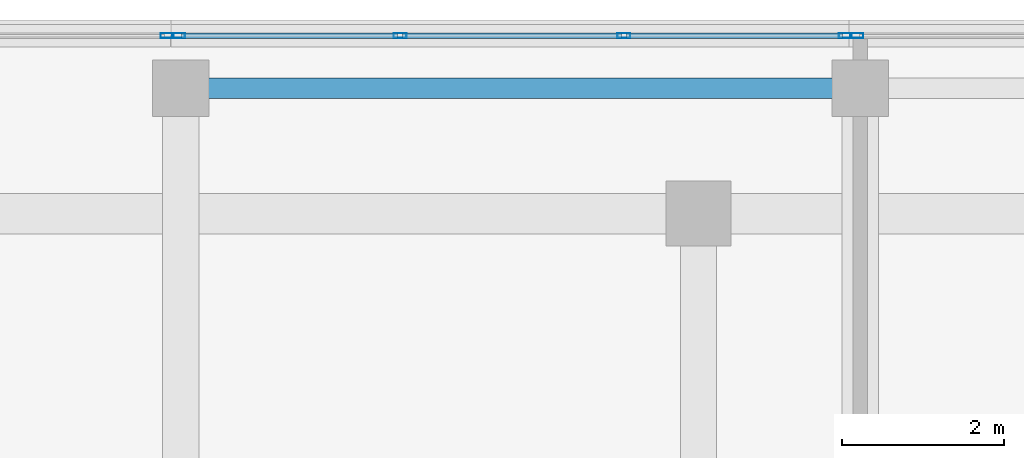
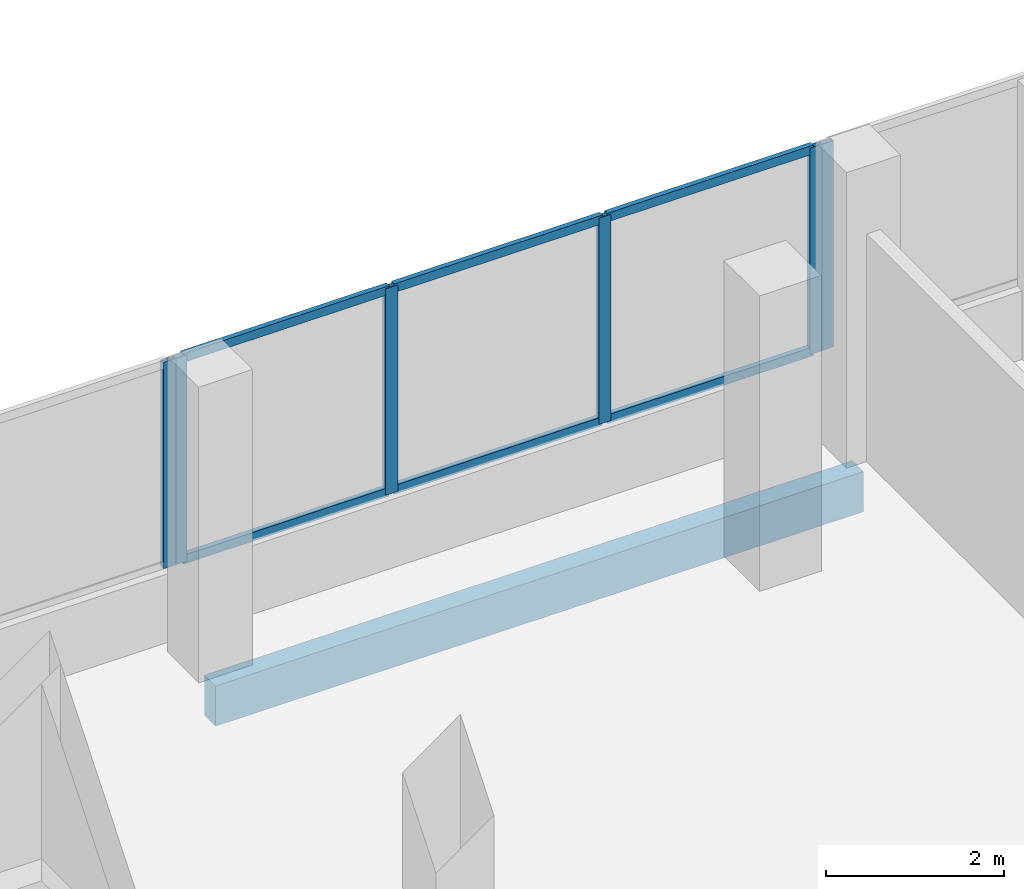
# One storey, part 42 of 101: 12 members, 1 beam, 3 elements without a shape of their own.
"""IFC4 building model written with IfcOpenShell, lengths in metres."""

from ifc_helpers import new_model, si_unit, direction, frame, origin, origin_2d, place, context, subcontext, project, spatial, rectangle, hollow_rectangle, extrude, material, material_profile, profile_set, type_object, element, aggregate, save


model = new_model("IFC4")

# Units and contexts
model_context = context("Model", 3, precision=1e-05, world=origin(), true_north=direction((0.0, 1.0)))
body_context = subcontext(model_context, "Body", "Model", "MODEL_VIEW")
ifc_project = project(units=[si_unit("LENGTHUNIT", "METRE"), si_unit("AREAUNIT", "SQUARE_METRE"), si_unit("VOLUMEUNIT", "CUBIC_METRE"), si_unit("PLANEANGLEUNIT", "RADIAN"), si_unit("MASSUNIT", "GRAM", prefix="KILO")], contexts=[model_context])

# Site, building, storey
site_placement = place(None, origin())
site = spatial("IfcSite", under=ifc_project, at=site_placement, CompositionType="ELEMENT")
building_placement = place(site_placement, origin())
building = spatial("IfcBuilding", under=site, at=building_placement, Name="Selatvlak General Hospital", CompositionType="ELEMENT")
storey_placement = place(building_placement, frame((0.0, 0.0, 19.199951171875)))
storey = spatial("IfcBuildingStorey", under=building, at=storey_placement, Name="L04", CompositionType="ELEMENT", Elevation=19.199951171875)

# Beam
ifc_material_1 = material(Name="Concrete C40/50", Category="concrete")
ifc_material_profile_1 = material_profile(ifc_material_1, rectangle(XDim=0.25, YDim=0.550048828125, at=origin_2d()), Name="RC-SP 250x550")
ifc_profile_set_1 = profile_set([ifc_material_profile_1], Name="Concrete C40/50")
beam_type = type_object("IfcBeamType", Name="BM-SP2", PredefinedType="SPANDREL", material=ifc_profile_set_1)
beam_placement = place(storey_placement, frame((64.800048828125, 119.35009765625, -0.579833984375), z_axis=(1.0, 0.0, 0.0), x_axis=(0.0, 1.0, 0.0)))
element("IfcBeam", 1, at=beam_placement, inside=storey, type_object=beam_type, Name="Beam BMR-L04-1631", PredefinedType="SPANDREL", context=body_context, shape_type="SweptSolid", body=[
    extrude(rectangle(XDim=0.25, YDim=0.550048828125, at=origin_2d()), origin(), (0.0, 0.0, 1.0), 8.39990234375),
])

# Curtain wall, member
ifc_material_2 = material(Name="Solar-control Low-E double glazing", Category="glass")
curtain_wall_type_1 = type_object("IfcCurtainWallType", Name="CW-CW-01", PredefinedType="USERDEFINED", material=ifc_material_2)
curtain_wall_1_placement = place(storey_placement, origin())
curtain_wall_1 = element("IfcCurtainWall", 2, at=curtain_wall_1_placement, inside=storey, type_object=curtain_wall_type_1, Name="Glazed facade curtain wall CW-L04-0485", ObjectType="UNITISED CURTAIN WALL", PredefinedType="USERDEFINED")
ifc_material_3 = material(Name="Dark anodised aluminium mullion", Category="aluminium")
ifc_material_profile_2 = material_profile(ifc_material_3, hollow_rectangle(XDim=0.06494140625, YDim=0.159912109375, WallThickness=0.00390625, at=origin_2d()), Name="AL-MUL 65x160x4")
ifc_profile_set_2 = profile_set([ifc_material_profile_2], Name="Dark anodised aluminium mullion")
member_type_1 = type_object("IfcMemberType", Name="CWM-01", PredefinedType="MULLION", material=ifc_profile_set_2)
member_1_placement = place(storey_placement, frame((64.632568359375, 119.9990234375, 0.93994140625), z_axis=(0.0, 0.0, 1.0), x_axis=(0.0, 1.0, 0.0)))
member_1 = element("IfcMember", 3, at=member_1_placement, type_object=member_type_1, Name="CW-01 mullion 4", PredefinedType="MULLION", context=body_context, shape_type="SweptSolid", body=[
    extrude(hollow_rectangle(XDim=0.06494140625, YDim=0.159912109375, WallThickness=0.00390625, at=origin_2d()), origin(), (0.0, 0.0, 1.0), 2.830078125),
])
aggregate(curtain_wall_1, [member_1])

# Curtain wall, members
curtain_wall_type_2 = type_object("IfcCurtainWallType", Name="CW-CW-02", PredefinedType="USERDEFINED", material=ifc_material_2)
curtain_wall_2_placement = place(storey_placement, origin())
curtain_wall_2 = element("IfcCurtainWall", 4, at=curtain_wall_2_placement, inside=storey, type_object=curtain_wall_type_2, Name="Glazed facade curtain wall CW-L04-0486", ObjectType="UNITISED CURTAIN WALL", PredefinedType="USERDEFINED")
member_2_placement = place(storey_placement, frame((64.777587890625, 119.9990234375, 0.93994140625), z_axis=(0.0, 0.0, 1.0), x_axis=(0.0, 1.0, 0.0)))
member_2 = element("IfcMember", 5, at=member_2_placement, type_object=member_type_1, Name="CW-02 mullion 1", PredefinedType="MULLION", context=body_context, shape_type="SweptSolid", body=[
    extrude(hollow_rectangle(XDim=0.06494140625, YDim=0.159912109375, WallThickness=0.00390625, at=origin_2d()), origin(), (0.0, 0.0, 1.0), 2.830078125),
])
member_3_placement = place(storey_placement, frame((67.51171875, 119.9990234375, 0.93994140625), z_axis=(0.0, 0.0, 1.0), x_axis=(0.0, 1.0, 0.0)))
member_3 = element("IfcMember", 6, at=member_3_placement, type_object=member_type_1, Name="CW-02 mullion 2", PredefinedType="MULLION", context=body_context, shape_type="SweptSolid", body=[
    extrude(hollow_rectangle(XDim=0.06494140625, YDim=0.159912109375, WallThickness=0.00390625, at=origin_2d()), origin(), (0.0, 0.0, 1.0), 2.830078125),
])
member_4_placement = place(storey_placement, frame((70.2783203125, 119.9990234375, 0.93994140625), z_axis=(0.0, 0.0, 1.0), x_axis=(0.0, 1.0, 0.0)))
member_4 = element("IfcMember", 7, at=member_4_placement, type_object=member_type_1, Name="CW-02 mullion 3", PredefinedType="MULLION", context=body_context, shape_type="SweptSolid", body=[
    extrude(hollow_rectangle(XDim=0.06494140625, YDim=0.159912109375, WallThickness=0.00390625, at=origin_2d()), origin(), (0.0, 0.0, 1.0), 2.830078125),
])
member_5_placement = place(storey_placement, frame((73.012451171875, 119.9990234375, 0.93994140625), z_axis=(0.0, 0.0, 1.0), x_axis=(0.0, 1.0, 0.0)))
member_5 = element("IfcMember", 8, at=member_5_placement, type_object=member_type_1, Name="CW-02 mullion 4", PredefinedType="MULLION", context=body_context, shape_type="SweptSolid", body=[
    extrude(hollow_rectangle(XDim=0.06494140625, YDim=0.159912109375, WallThickness=0.00390625, at=origin_2d()), origin(), (0.0, 0.0, 1.0), 2.830078125),
])

# Curtain wall, member
curtain_wall_3_placement = place(storey_placement, origin())
curtain_wall_3 = element("IfcCurtainWall", 9, at=curtain_wall_3_placement, inside=storey, type_object=curtain_wall_type_1, Name="Glazed facade curtain wall CW-L04-0487", ObjectType="UNITISED CURTAIN WALL", PredefinedType="USERDEFINED")
member_6_placement = place(storey_placement, frame((73.157470703125, 119.9990234375, 0.93994140625), z_axis=(0.0, 0.0, 1.0), x_axis=(0.0, 1.0, 0.0)))
member_6 = element("IfcMember", 10, at=member_6_placement, type_object=member_type_1, Name="CW-01 mullion 1", PredefinedType="MULLION", context=body_context, shape_type="SweptSolid", body=[
    extrude(hollow_rectangle(XDim=0.06494140625, YDim=0.159912109375, WallThickness=0.00390625, at=origin_2d()), origin(), (0.0, 0.0, 1.0), 2.830078125),
])
aggregate(curtain_wall_3, [member_6])

# Member
ifc_material_profile_3 = material_profile(ifc_material_3, hollow_rectangle(XDim=0.06494140625, YDim=0.1201171875, WallThickness=0.00390625, at=origin_2d()), Name="AL-TRN 65x120x4")
ifc_profile_set_3 = profile_set([ifc_material_profile_3], Name="Dark anodised aluminium mullion")
member_type_2 = type_object("IfcMemberType", Name="CWT-01", PredefinedType="USERDEFINED", material=ifc_profile_set_3)
member_7_placement = place(storey_placement, frame((64.81005859375, 119.9990234375, 0.97265625), z_axis=(1.0, 0.0, 0.0), x_axis=(0.0, 1.0, 0.0)))
member_7 = element("IfcMember", 11, at=member_7_placement, type_object=member_type_2, Name="CW-02 transom 1.1", ObjectType="TRANSOM", PredefinedType="USERDEFINED", context=body_context, shape_type="SweptSolid", body=[
    extrude(hollow_rectangle(XDim=0.06494140625, YDim=0.1201171875, WallThickness=0.00390625, at=origin_2d()), origin(), (0.0, 0.0, 1.0), 2.669189453125),
])

member_8_placement = place(storey_placement, frame((64.81005859375, 119.9990234375, 3.737548828125), z_axis=(1.0, 0.0, 0.0), x_axis=(0.0, 1.0, 0.0)))
member_8 = element("IfcMember", 12, at=member_8_placement, type_object=member_type_2, Name="CW-02 transom 1.2", ObjectType="TRANSOM", PredefinedType="USERDEFINED", context=body_context, shape_type="SweptSolid", body=[
    extrude(hollow_rectangle(XDim=0.06494140625, YDim=0.1201171875, WallThickness=0.00390625, at=origin_2d()), origin(), (0.0, 0.0, 1.0), 2.669189453125),
])

member_9_placement = place(storey_placement, frame((67.544189453125, 119.9990234375, 0.97265625), z_axis=(1.0, 0.0, 0.0), x_axis=(0.0, 1.0, 0.0)))
member_9 = element("IfcMember", 13, at=member_9_placement, type_object=member_type_2, Name="CW-02 transom 2.1", ObjectType="TRANSOM", PredefinedType="USERDEFINED", context=body_context, shape_type="SweptSolid", body=[
    extrude(hollow_rectangle(XDim=0.06494140625, YDim=0.1201171875, WallThickness=0.00390625, at=origin_2d()), origin(), (0.0, 0.0, 1.0), 2.70166015625),
])

member_10_placement = place(storey_placement, frame((67.544189453125, 119.9990234375, 3.737548828125), z_axis=(1.0, 0.0, 0.0), x_axis=(0.0, 1.0, 0.0)))
member_10 = element("IfcMember", 14, at=member_10_placement, type_object=member_type_2, Name="CW-02 transom 2.2", ObjectType="TRANSOM", PredefinedType="USERDEFINED", context=body_context, shape_type="SweptSolid", body=[
    extrude(hollow_rectangle(XDim=0.06494140625, YDim=0.1201171875, WallThickness=0.00390625, at=origin_2d()), origin(), (0.0, 0.0, 1.0), 2.70166015625),
])

member_11_placement = place(storey_placement, frame((70.310791015625, 119.9990234375, 0.97265625), z_axis=(1.0, 0.0, 0.0), x_axis=(0.0, 1.0, 0.0)))
member_11 = element("IfcMember", 15, at=member_11_placement, type_object=member_type_2, Name="CW-02 transom 3.1", ObjectType="TRANSOM", PredefinedType="USERDEFINED", context=body_context, shape_type="SweptSolid", body=[
    extrude(hollow_rectangle(XDim=0.06494140625, YDim=0.1201171875, WallThickness=0.00390625, at=origin_2d()), origin(), (0.0, 0.0, 1.0), 2.669189453125),
])

member_12_placement = place(storey_placement, frame((70.310791015625, 119.9990234375, 3.737548828125), z_axis=(1.0, 0.0, 0.0), x_axis=(0.0, 1.0, 0.0)))
member_12 = element("IfcMember", 16, at=member_12_placement, type_object=member_type_2, Name="CW-02 transom 3.2", ObjectType="TRANSOM", PredefinedType="USERDEFINED", context=body_context, shape_type="SweptSolid", body=[
    extrude(hollow_rectangle(XDim=0.06494140625, YDim=0.1201171875, WallThickness=0.00390625, at=origin_2d()), origin(), (0.0, 0.0, 1.0), 2.669189453125),
])

aggregate(curtain_wall_2, [member_2, member_3, member_4, member_5, member_7, member_8, member_9, member_10, member_11, member_12])

save(model, "model.ifc")
